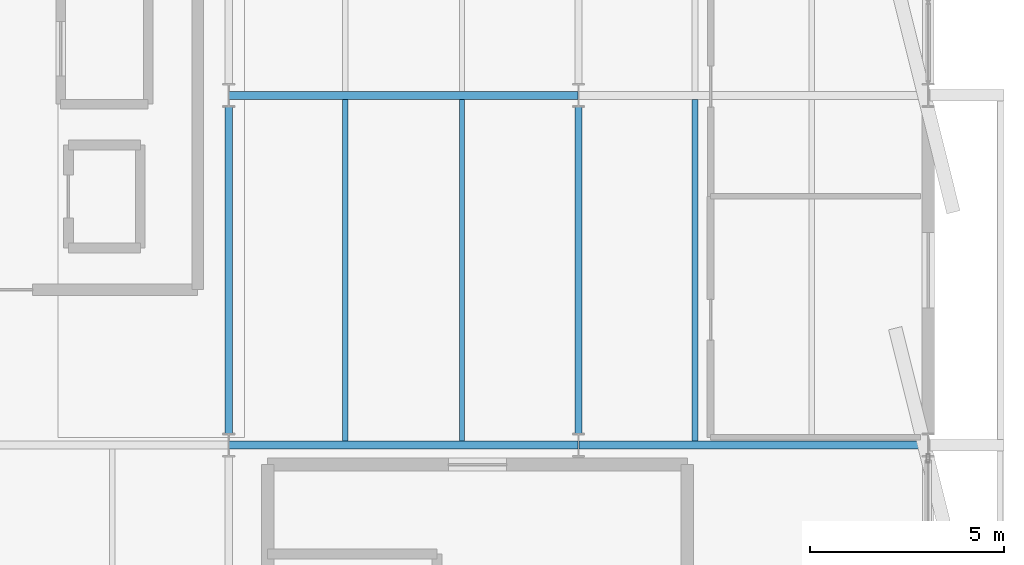
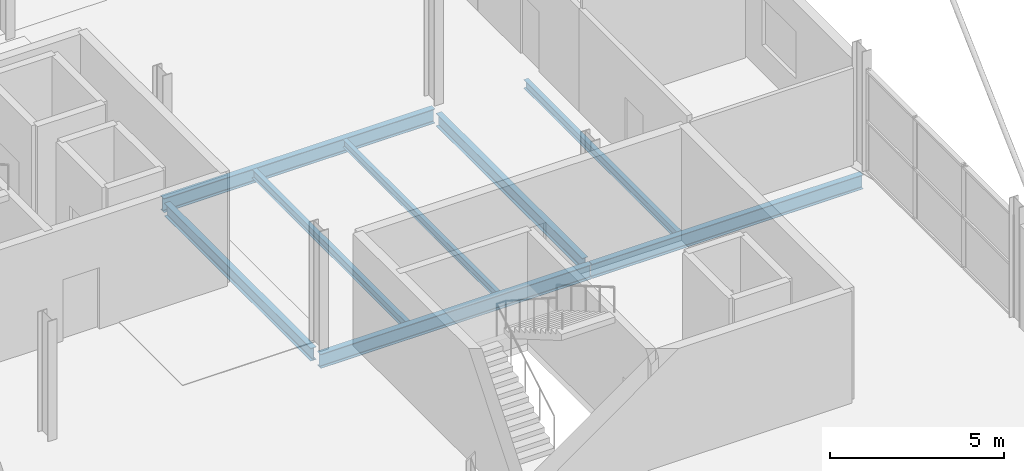
# One storey, part 51 of 103: 8 beams.
"""IFC4 building model written with IfcOpenShell, lengths in metres."""

from ifc_helpers import new_model, si_unit, direction, frame, origin, origin_2d, place, context, subcontext, project, spatial, i_section, extrude, material, material_profile, profile_set, type_object, element, save


model = new_model("IFC4")

# Units and contexts
model_context = context("Model", 3, precision=1e-05, world=origin(), true_north=direction((0.0, 1.0)))
body_context = subcontext(model_context, "Body", "Model", "MODEL_VIEW")
ifc_project = project(units=[si_unit("LENGTHUNIT", "METRE"), si_unit("AREAUNIT", "SQUARE_METRE"), si_unit("VOLUMEUNIT", "CUBIC_METRE"), si_unit("PLANEANGLEUNIT", "RADIAN"), si_unit("MASSUNIT", "GRAM", prefix="KILO")], contexts=[model_context])

# Site, building, storey
site_placement = place(None, origin())
site = spatial("IfcSite", under=ifc_project, at=site_placement, CompositionType="ELEMENT")
building_placement = place(site_placement, origin())
building = spatial("IfcBuilding", under=site, at=building_placement, Name="Deido Ridge Mobility Hub", CompositionType="ELEMENT")
storey_placement = place(building_placement, frame((0.0, 0.0, 12.60009765625)))
storey = spatial("IfcBuildingStorey", under=building, at=storey_placement, Name="L03", CompositionType="ELEMENT", Elevation=12.60009765625)

# Beams
ifc_material = material(Name="Steel S355J2 EN 10025-2", Category="steel")
ifc_material_profile_1 = material_profile(ifc_material, i_section(OverallWidth=0.18994140625, OverallDepth=0.449951171875, WebThickness=0.009521484375, FlangeThickness=0.0146484375, FilletRadius=0.02099609375, at=origin_2d()), Name="IPE 450")
ifc_profile_set_1 = profile_set([ifc_material_profile_1], Name="Steel S355J2 EN 10025-2")
beam_type_1 = type_object("IfcBeamType", Name="BM-IPE450", PredefinedType="BEAM", material=ifc_profile_set_1)
for number, where, z_axis, x_axis, name in (
    (1, (162.0, 18.300048828125, -0.489990234375), (0.0, 1.0, 0.0), (-1.0, 0.0, 0.0), "Floor beam B4"),
    (2, (171.0, 18.300048828125, -0.489990234375), (0.0, 1.0, 0.0), (-1.0, 0.0, 0.0), "Floor beam B4"),
):
    element("IfcBeam", number, at=place(storey_placement, frame(where, z_axis=z_axis, x_axis=x_axis)), inside=storey, type_object=beam_type_1, Name=name, PredefinedType="BEAM", context=body_context, shape_type="SweptSolid", body=[
        extrude(i_section(OverallWidth=0.18994140625, OverallDepth=0.449951171875, WebThickness=0.009521484375, FlangeThickness=0.0146484375, FilletRadius=0.02099609375, at=origin_2d()), origin(), (0.0, 0.0, 1.0), 8.39990234375),
    ])
ifc_material_profile_2 = material_profile(ifc_material, i_section(OverallWidth=0.199951171875, OverallDepth=0.5, WebThickness=0.01025390625, FlangeThickness=0.01611328125, FilletRadius=0.02099609375, at=origin_2d()), Name="IPE 500")
ifc_profile_set_2 = profile_set([ifc_material_profile_2], Name="Steel S355J2 EN 10025-2")
beam_type_2 = type_object("IfcBeamType", Name="BM-IPE500", PredefinedType="BEAM", material=ifc_profile_set_2)
for number, where, z_axis, x_axis, name in (
    (3, (162.0078125, 18.0, -0.51513671875), (1.0, 0.0, 0.0), (0.0, 1.0, 0.0), "Floor beam B3"),
    (4, (171.0078125, 18.0, -0.51513671875), (1.0, 0.0, 0.0), (0.0, 1.0, 0.0), "Floor beam B3"),
    (5, (162.0078125, 27.0, -0.51513671875), (1.0, 0.0, 0.0), (0.0, 1.0, 0.0), "Floor beam B3"),
):
    element("IfcBeam", number, at=place(storey_placement, frame(where, z_axis=z_axis, x_axis=x_axis)), inside=storey, type_object=beam_type_2, Name=name, PredefinedType="BEAM", context=body_context, shape_type="SweptSolid", body=[
        extrude(i_section(OverallWidth=0.199951171875, OverallDepth=0.5, WebThickness=0.01025390625, FlangeThickness=0.01611328125, FilletRadius=0.02099609375, at=origin_2d()), origin(), (0.0, 0.0, 1.0), 8.984375),
    ])
ifc_material_profile_3 = material_profile(ifc_material, i_section(OverallWidth=0.135009765625, OverallDepth=0.27001953125, WebThickness=0.006591796875, FlangeThickness=0.01025390625, FilletRadius=0.014892578125, at=origin_2d()), Name="IPE 270")
ifc_profile_set_3 = profile_set([ifc_material_profile_3], Name="Steel S355J2 EN 10025-2")
beam_type_3 = type_object("IfcBeamType", Name="JST-IPE270", PredefinedType="JOIST", material=ifc_profile_set_3)
beam_placement = place(storey_placement, frame((168.0, 18.10009765625, -0.400146484375), z_axis=(0.0, 1.0, 0.0), x_axis=(-1.0, 0.0, 0.0)))
element("IfcBeam", 6, at=beam_placement, inside=storey, type_object=beam_type_3, Name="Composite joist J4", PredefinedType="JOIST", context=body_context, shape_type="SweptSolid", body=[
    extrude(i_section(OverallWidth=0.135009765625, OverallDepth=0.27001953125, WebThickness=0.006591796875, FlangeThickness=0.01025390625, FilletRadius=0.014892578125, at=origin_2d()), origin(), (0.0, 0.0, 1.0), 8.7998046875),
])
ifc_material_profile_4 = material_profile(ifc_material, i_section(OverallWidth=0.14990234375, OverallDepth=0.300048828125, WebThickness=0.007080078125, FlangeThickness=0.0107421875, FilletRadius=0.014892578125, at=origin_2d()), Name="IPE 300")
ifc_profile_set_4 = profile_set([ifc_material_profile_4], Name="Steel S355J2 EN 10025-2")
beam_type_4 = type_object("IfcBeamType", Name="JST-IPE300", PredefinedType="JOIST", material=ifc_profile_set_4)
for number, where, z_axis, x_axis, name in (
    (7, (165.0, 18.10009765625, -0.4150390625), (0.0, 1.0, 0.0), (-1.0, 0.0, 0.0), "Composite joist J3"),
    (8, (174.0, 18.10009765625, -0.4150390625), (0.0, 1.0, 0.0), (-1.0, 0.0, 0.0), "Composite joist J3"),
):
    element("IfcBeam", number, at=place(storey_placement, frame(where, z_axis=z_axis, x_axis=x_axis)), inside=storey, type_object=beam_type_4, Name=name, PredefinedType="JOIST", context=body_context, shape_type="SweptSolid", body=[
        extrude(i_section(OverallWidth=0.14990234375, OverallDepth=0.300048828125, WebThickness=0.007080078125, FlangeThickness=0.0107421875, FilletRadius=0.014892578125, at=origin_2d()), origin(), (0.0, 0.0, 1.0), 8.7998046875),
    ])

save(model, "model.ifc")
